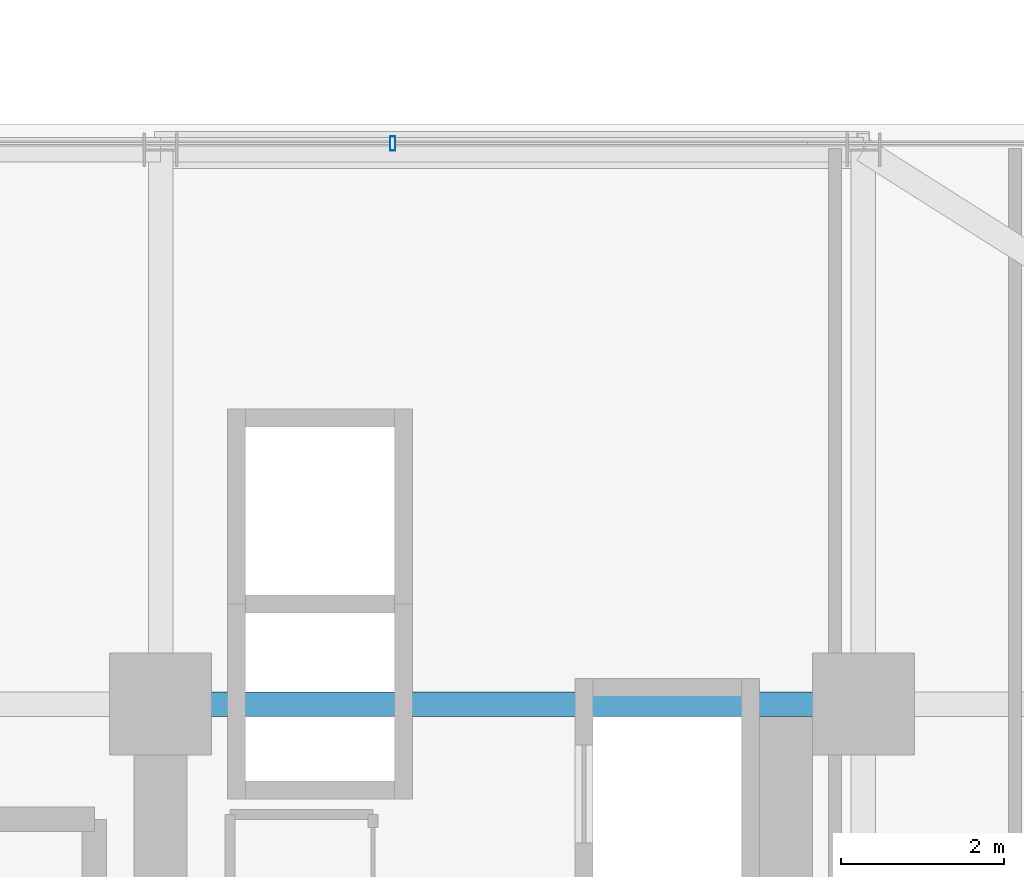
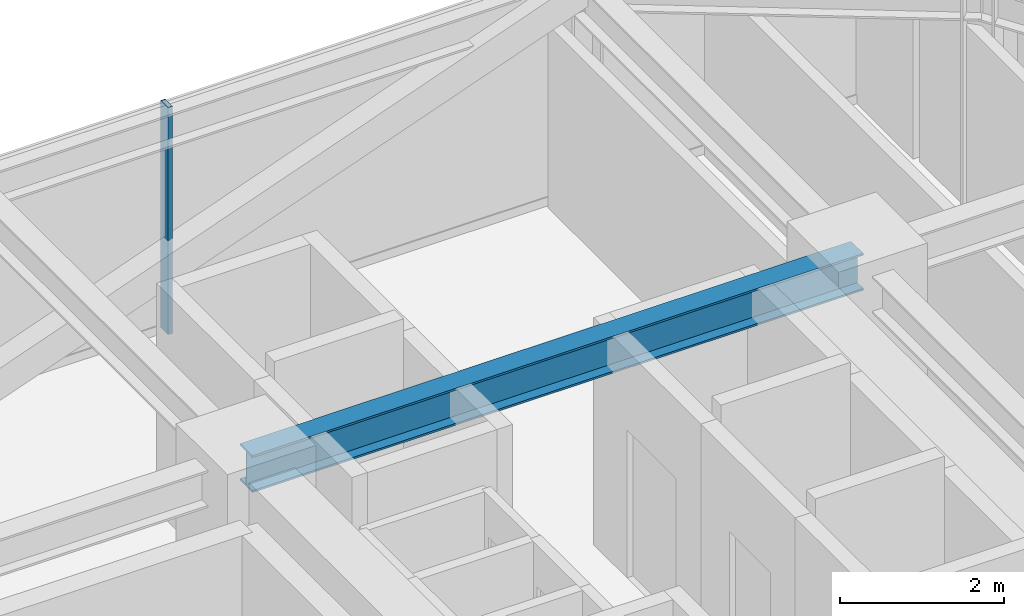
# One storey, part 23 of 35: 1 beam, 1 member, 1 element without a shape of its own.
"""IFC4 building model written with IfcOpenShell, lengths in metres."""

from ifc_helpers import new_model, si_unit, direction, frame, origin, origin_2d, place, context, subcontext, project, spatial, hollow_rectangle, i_section, extrude, source, transform, mapped, material, material_profile, profile_set, type_object, element, aggregate, save


model = new_model("IFC4")

# Units and contexts
model_context = context("Model", 3, precision=1e-05, world=origin(), true_north=direction((0.0, 1.0)))
body_context = subcontext(model_context, "Body", "Model", "MODEL_VIEW")
ifc_project = project(units=[si_unit("LENGTHUNIT", "METRE"), si_unit("AREAUNIT", "SQUARE_METRE"), si_unit("VOLUMEUNIT", "CUBIC_METRE"), si_unit("PLANEANGLEUNIT", "RADIAN"), si_unit("MASSUNIT", "GRAM", prefix="KILO")], contexts=[model_context])

# Site, building, storey
site_placement = place(None, origin())
site = spatial("IfcSite", under=ifc_project, at=site_placement, CompositionType="ELEMENT")
building_placement = place(site_placement, origin())
building = spatial("IfcBuilding", under=site, at=building_placement, Name="Nahalor Promenade Grand Hotel", CompositionType="ELEMENT")
storey_placement = place(building_placement, frame((0.0, 0.0, 121.14990234375)))
storey = spatial("IfcBuildingStorey", under=building, at=storey_placement, Name="L30", CompositionType="ELEMENT", Elevation=121.14990234375)

# Beam
ifc_material_1 = material(Name="Steel S355JR", Category="steel")
ifc_material_profile_1 = material_profile(ifc_material_1, i_section(OverallWidth=0.3, OverallDepth=0.55, WebThickness=0.015, FlangeThickness=0.029, at=origin_2d()), Name="HEB 550")
ifc_profile_set_1 = profile_set([ifc_material_profile_1], Name="Steel S355JR")
beam_type = type_object("IfcBeamType", Name="Beam-Girder-HEB550", PredefinedType="BEAM", material=ifc_profile_set_1)
shared_shape_1 = source(origin(), body_context, "Body", "SweptSolid", [
    extrude(i_section(OverallWidth=0.3, OverallDepth=0.55, WebThickness=0.015, FlangeThickness=0.029, at=origin_2d()), origin(), (0.0, 0.0, 1.0), 8.60009765625),
])
beam_placement = place(storey_placement, frame((8.39990234375, 17.0, 3.10498046875), z_axis=(1.0, 0.0, 0.0), x_axis=(0.0, 1.0, 0.0)))
element("IfcBeam", 1, at=beam_placement, inside=storey, type_object=beam_type, Name="BM-L30-GX-3-5", PredefinedType="BEAM", context=body_context, shape_type="MappedRepresentation", body=[
    mapped(shared_shape_1, transform((0.0, 0.0, 0.0), scale=1.0)),
])

# Curtain wall, member
ifc_material_2 = material(Name="Anodised Bronze Aluminium EN AW-6063 T6", Category="aluminium")
curtain_wall_type = type_object("IfcCurtainWallType", Name="CW2 Typical Hotel Flush Bronze Unitised Curtain Wall", PredefinedType="USERDEFINED", material=ifc_material_2)
curtain_wall_placement = place(storey_placement, origin())
curtain_wall = element("IfcCurtainWall", 2, at=curtain_wall_placement, inside=storey, type_object=curtain_wall_type, Name="L30 Curtain Wall CW-L30-N-3", ObjectType="UNITISED_CURTAIN_WALL", PredefinedType="USERDEFINED")
ifc_material_profile_2 = material_profile(ifc_material_2, hollow_rectangle(XDim=0.065, YDim=0.18, WallThickness=0.004, at=origin_2d()), Name="CWM 65x180x4")
ifc_profile_set_2 = profile_set([ifc_material_profile_2], Name="Anodised Bronze Aluminium EN AW-6063 T6")
member_type = type_object("IfcMemberType", Name="CWM2 Typical Bronze Mullion 65x180", PredefinedType="MULLION", material=ifc_profile_set_2)
shared_shape_2 = source(origin(), body_context, "Body", "SweptSolid", [
    extrude(hollow_rectangle(XDim=0.065, YDim=0.18, WallThickness=0.004, at=origin_2d()), origin(), (0.0, 0.0, 1.0), 3.380126953125),
])
member_placement = place(storey_placement, frame((11.239990234375, 23.860107421875, 0.0), z_axis=(0.0, 0.0, 1.0), x_axis=(1.0, 0.0, 0.0)))
member = element("IfcMember", 3, at=member_placement, type_object=member_type, Name="CW-L30-N-3 Mullion 2", PredefinedType="MULLION", context=body_context, shape_type="MappedRepresentation", body=[
    mapped(shared_shape_2, transform((0.0, 0.0, 0.0), scale=1.0)),
])
aggregate(curtain_wall, [member])

save(model, "model.ifc")
